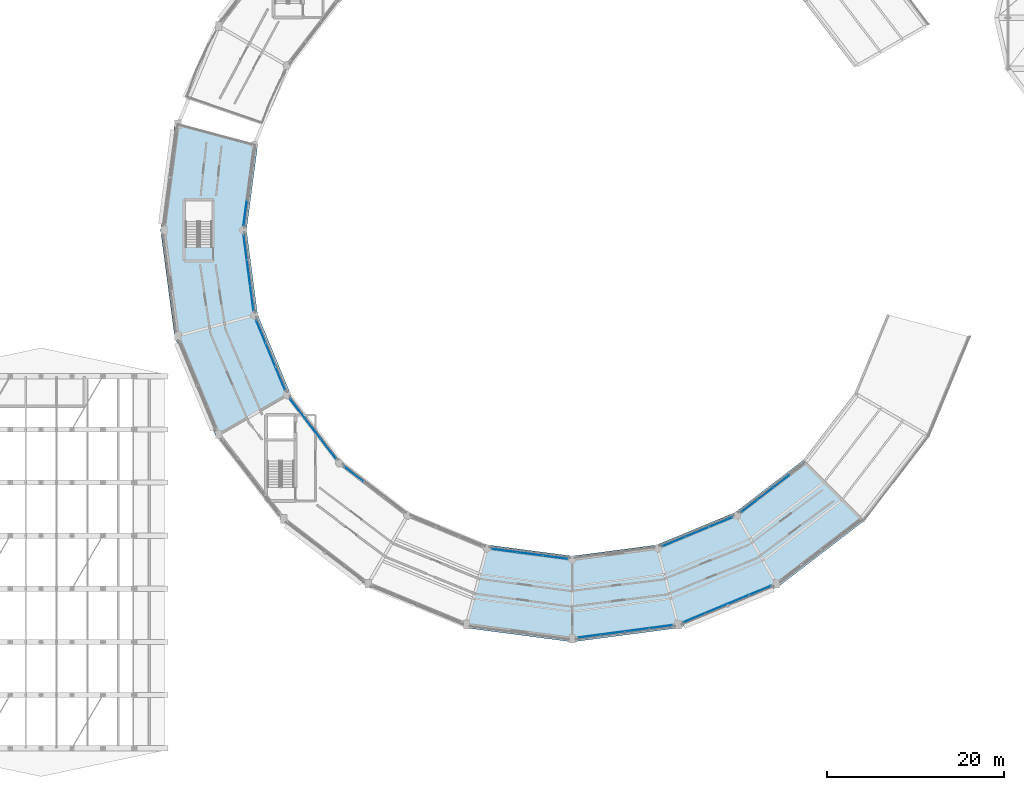
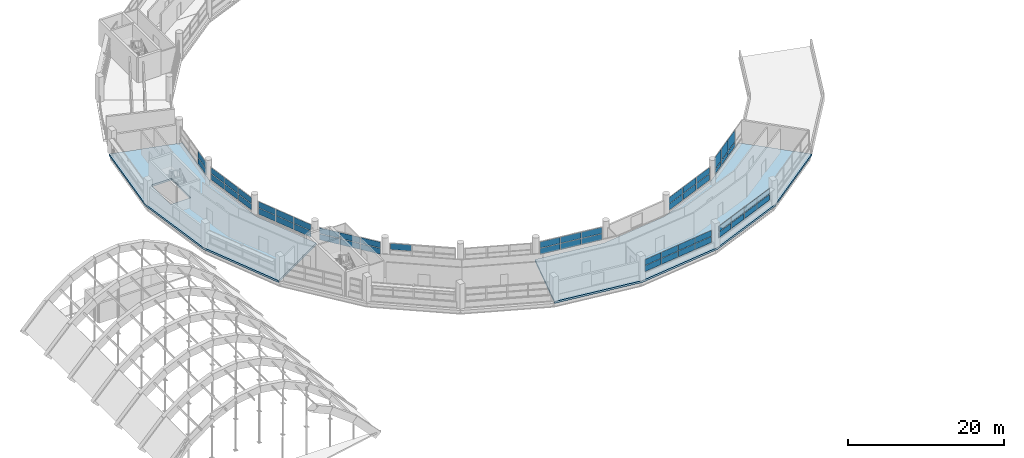
# One storey, part 68 of 88: 55 plates, 2 slabs, 10 elements without a shape of their own.
"""IFC4 building model written with IfcOpenShell, lengths in metres."""

from ifc_helpers import new_model, si_unit, direction, frame, origin, origin_2d, place, context, subcontext, project, spatial, polyline, rectangle, outline, extrude, material, layer, layer_set, type_object, element, aggregate, save


model = new_model("IFC4")

# Units and contexts
model_context = context("Model", 3, precision=1e-05, world=origin(), true_north=direction((0.0, 1.0)))
body_context = subcontext(model_context, "Body", "Model", "MODEL_VIEW")
ifc_project = project(units=[si_unit("LENGTHUNIT", "METRE"), si_unit("AREAUNIT", "SQUARE_METRE"), si_unit("VOLUMEUNIT", "CUBIC_METRE"), si_unit("PLANEANGLEUNIT", "RADIAN"), si_unit("MASSUNIT", "GRAM", prefix="KILO")], contexts=[model_context])

# Site, building, storey
site_placement = place(None, origin())
site = spatial("IfcSite", under=ifc_project, at=site_placement, CompositionType="ELEMENT")
building_placement = place(site_placement, origin())
building = spatial("IfcBuilding", under=site, at=building_placement, Name="Vespera Passage Community Centre", CompositionType="ELEMENT")
storey_placement = place(building_placement, frame((0.0, 0.0, 16.5)))
storey = spatial("IfcBuildingStorey", under=building, at=storey_placement, Name="L04", CompositionType="ELEMENT", Elevation=16.5)

# Curtain wall, plates
ifc_material_1 = material(Name="Anodized aluminium 6063-T6", Category="aluminium")
ifc_layer_1 = layer(ifc_material_1, 0.159912109375)
ifc_layer_set_1 = layer_set([ifc_layer_1], Name="Anodized aluminium 6063-T6")
curtain_wall_type_1 = type_object("IfcCurtainWallType", Name="CW-64E", PredefinedType="NOTDEFINED", material=ifc_layer_set_1)
curtain_wall_1_placement = place(storey_placement, origin())
curtain_wall_1 = element("IfcCurtainWall", 1, at=curtain_wall_1_placement, inside=storey, type_object=curtain_wall_type_1, Name="V4 L04 Inner Court Curtain Wall 12", PredefinedType="NOTDEFINED")
ifc_material_2 = material(Name="Low-E insulated vision glass", Category="glass")
ifc_layer_2 = layer(ifc_material_2, 0.02001953125)
ifc_layer_set_2 = layer_set([ifc_layer_2], Name="Low-E insulated vision glass")
plate_type_1 = type_object("IfcPlateType", Name="PL-CWP-20E", PredefinedType="CURTAIN_PANEL", material=ifc_layer_set_2)
plate_1_placement = place(storey_placement, frame((41.058837890625, 63.53466796875, 0.919921875), z_axis=(0.0, 0.0, 1.0), x_axis=(0.1305221941, -0.991445387728, 0.0)))
plate_1 = element("IfcPlate", 2, at=plate_1_placement, type_object=plate_type_1, Name="CW-64E panel 1.1", PredefinedType="CURTAIN_PANEL", context=body_context, shape_type="SweptSolid", body=[
    extrude(rectangle(XDim=2.779541015625, YDim=0.02001953125, at=origin_2d()), origin(), (0.0, 0.0, 1.0), 0.894775390625),
])
plate_2_placement = place(storey_placement, frame((41.058837890625, 63.53466796875, 1.91455078125), z_axis=(0.0, 0.0, 1.0), x_axis=(0.1305221941, -0.991445387728, 0.0)))
plate_2 = element("IfcPlate", 3, at=plate_2_placement, type_object=plate_type_1, Name="CW-64E panel 1.2", PredefinedType="CURTAIN_PANEL", context=body_context, shape_type="SweptSolid", body=[
    extrude(rectangle(XDim=2.779541015625, YDim=0.02001953125, at=origin_2d()), origin(), (0.0, 0.0, 1.0), 0.894775390625),
])
plate_3_placement = place(storey_placement, frame((41.433837890625, 60.68603515625, 0.919921875), z_axis=(0.0, 0.0, 1.0), x_axis=(0.1305221941, -0.991445387728, 0.0)))
plate_3 = element("IfcPlate", 4, at=plate_3_placement, type_object=plate_type_1, Name="CW-64E panel 2.1", PredefinedType="CURTAIN_PANEL", context=body_context, shape_type="SweptSolid", body=[
    extrude(rectangle(XDim=2.81689453125, YDim=0.02001953125, at=origin_2d()), origin(), (0.0, 0.0, 1.0), 0.894775390625),
])
plate_4_placement = place(storey_placement, frame((41.433837890625, 60.68603515625, 1.91455078125), z_axis=(0.0, 0.0, 1.0), x_axis=(0.1305221941, -0.991445387728, 0.0)))
plate_4 = element("IfcPlate", 5, at=plate_4_placement, type_object=plate_type_1, Name="CW-64E panel 2.2", PredefinedType="CURTAIN_PANEL", context=body_context, shape_type="SweptSolid", body=[
    extrude(rectangle(XDim=2.81689453125, YDim=0.02001953125, at=origin_2d()), origin(), (0.0, 0.0, 1.0), 0.894775390625),
])
plate_5_placement = place(storey_placement, frame((41.808837890625, 57.83740234375, 0.919921875), z_axis=(0.0, 0.0, 1.0), x_axis=(0.1305221941, -0.991445387728, 0.0)))
plate_5 = element("IfcPlate", 6, at=plate_5_placement, type_object=plate_type_1, Name="CW-64E panel 3.1", PredefinedType="CURTAIN_PANEL", context=body_context, shape_type="SweptSolid", body=[
    extrude(rectangle(XDim=2.779541015625, YDim=0.02001953125, at=origin_2d()), origin(), (0.0, 0.0, 1.0), 0.894775390625),
])
plate_6_placement = place(storey_placement, frame((41.808837890625, 57.83740234375, 1.91455078125), z_axis=(0.0, 0.0, 1.0), x_axis=(0.1305221941, -0.991445387728, 0.0)))
plate_6 = element("IfcPlate", 7, at=plate_6_placement, type_object=plate_type_1, Name="CW-64E panel 3.2", PredefinedType="CURTAIN_PANEL", context=body_context, shape_type="SweptSolid", body=[
    extrude(rectangle(XDim=2.779541015625, YDim=0.02001953125, at=origin_2d()), origin(), (0.0, 0.0, 1.0), 0.894775390625),
])
aggregate(curtain_wall_1, [plate_1, plate_2, plate_3, plate_4, plate_5, plate_6])

# Curtain wall, plate
ifc_material_3 = material(Name="Anodized aluminium 6063-T6", Category="aluminium")
ifc_layer_3 = layer(ifc_material_3, 0.159912109375)
ifc_layer_set_3 = layer_set([ifc_layer_3], Name="Anodized aluminium 6063-T6")
curtain_wall_type_2 = type_object("IfcCurtainWallType", Name="CW-54E", PredefinedType="NOTDEFINED", material=ifc_layer_set_3)
curtain_wall_2_placement = place(storey_placement, origin())
curtain_wall_2 = element("IfcCurtainWall", 8, at=curtain_wall_2_placement, inside=storey, type_object=curtain_wall_type_2, Name="V4 L04 Inner Court Curtain Wall 15", PredefinedType="NOTDEFINED")
plate_7_placement = place(storey_placement, frame((53.308349609375, 37.958251953125, 1.894775390625), z_axis=(0.0, 0.0, 1.0), x_axis=(0.793358205999, -0.608755087843, 0.0)))
plate_7 = element("IfcPlate", 9, at=plate_7_placement, type_object=plate_type_1, Name="CW-54E panel 1.2", PredefinedType="CURTAIN_PANEL", context=body_context, shape_type="SweptSolid", body=[
    extrude(rectangle(XDim=2.72900390625, YDim=0.02001953125, at=origin_2d()), origin(), (0.0, 0.0, 1.0), 0.95458984375),
])
aggregate(curtain_wall_2, [plate_7])

# Curtain wall, plates
ifc_material_4 = material(Name="Anodized aluminium 6063-T6", Category="aluminium")
ifc_layer_4 = layer(ifc_material_4, 0.159912109375)
ifc_layer_set_4 = layer_set([ifc_layer_4], Name="Anodized aluminium 6063-T6")
curtain_wall_type_3 = type_object("IfcCurtainWallType", Name="CW-59E", PredefinedType="NOTDEFINED", material=ifc_layer_set_4)
curtain_wall_3_placement = place(storey_placement, origin())
curtain_wall_3 = element("IfcCurtainWall", 10, at=curtain_wall_3_placement, inside=storey, type_object=curtain_wall_type_3, Name="V4 L04 Outer Ribbon Curtain Wall 18", PredefinedType="NOTDEFINED")
plate_8_placement = place(storey_placement, frame((87.98291015625, 20.71435546875, 0.8798828125), z_axis=(0.0, 0.0, 1.0), x_axis=(-0.991444252276, -0.130530818696, 0.0)))
plate_8 = element("IfcPlate", 11, at=plate_8_placement, type_object=plate_type_1, Name="CW-59E panel 1.1", PredefinedType="CURTAIN_PANEL", context=body_context, shape_type="SweptSolid", body=[
    extrude(rectangle(XDim=2.614501953125, YDim=0.02001953125, at=origin_2d()), origin(), (0.0, 0.0, 1.0), 0.912841796875),
])
plate_9_placement = place(storey_placement, frame((87.98291015625, 20.71435546875, 1.8525390625), z_axis=(0.0, 0.0, 1.0), x_axis=(-0.991444252276, -0.130530818696, 0.0)))
plate_9 = element("IfcPlate", 12, at=plate_9_placement, type_object=plate_type_1, Name="CW-59E panel 1.2", PredefinedType="CURTAIN_PANEL", context=body_context, shape_type="SweptSolid", body=[
    extrude(rectangle(XDim=2.614501953125, YDim=0.02001953125, at=origin_2d()), origin(), (0.0, 0.0, 1.0), 0.912841796875),
])
plate_10_placement = place(storey_placement, frame((85.310302734375, 20.3623046875, 0.8798828125), z_axis=(0.0, 0.0, 1.0), x_axis=(-0.991444252276, -0.130530818696, 0.0)))
plate_10 = element("IfcPlate", 13, at=plate_10_placement, type_object=plate_type_1, Name="CW-59E panel 2.1", PredefinedType="CURTAIN_PANEL", context=body_context, shape_type="SweptSolid", body=[
    extrude(rectangle(XDim=2.64697265625, YDim=0.02001953125, at=origin_2d()), origin(), (0.0, 0.0, 1.0), 0.912841796875),
])
plate_11_placement = place(storey_placement, frame((85.310302734375, 20.3623046875, 1.8525390625), z_axis=(0.0, 0.0, 1.0), x_axis=(-0.991444252276, -0.130530818696, 0.0)))
plate_11 = element("IfcPlate", 14, at=plate_11_placement, type_object=plate_type_1, Name="CW-59E panel 2.2", PredefinedType="CURTAIN_PANEL", context=body_context, shape_type="SweptSolid", body=[
    extrude(rectangle(XDim=2.64697265625, YDim=0.02001953125, at=origin_2d()), origin(), (0.0, 0.0, 1.0), 0.912841796875),
])
plate_12_placement = place(storey_placement, frame((82.621337890625, 20.00830078125, 0.8798828125), z_axis=(0.0, 0.0, 1.0), x_axis=(-0.991444252276, -0.130530818696, 0.0)))
plate_12 = element("IfcPlate", 15, at=plate_12_placement, type_object=plate_type_1, Name="CW-59E panel 3.1", PredefinedType="CURTAIN_PANEL", context=body_context, shape_type="SweptSolid", body=[
    extrude(rectangle(XDim=2.64697265625, YDim=0.02001953125, at=origin_2d()), origin(), (0.0, 0.0, 1.0), 0.912841796875),
])
plate_13_placement = place(storey_placement, frame((82.621337890625, 20.00830078125, 1.8525390625), z_axis=(0.0, 0.0, 1.0), x_axis=(-0.991444252276, -0.130530818696, 0.0)))
plate_13 = element("IfcPlate", 16, at=plate_13_placement, type_object=plate_type_1, Name="CW-59E panel 3.2", PredefinedType="CURTAIN_PANEL", context=body_context, shape_type="SweptSolid", body=[
    extrude(rectangle(XDim=2.64697265625, YDim=0.02001953125, at=origin_2d()), origin(), (0.0, 0.0, 1.0), 0.912841796875),
])
plate_14_placement = place(storey_placement, frame((79.94873046875, 19.656494140625, 0.8798828125), z_axis=(0.0, 0.0, 1.0), x_axis=(-0.991444252276, -0.130530818696, 0.0)))
plate_14 = element("IfcPlate", 17, at=plate_14_placement, type_object=plate_type_1, Name="CW-59E panel 4.1", PredefinedType="CURTAIN_PANEL", context=body_context, shape_type="SweptSolid", body=[
    extrude(rectangle(XDim=2.614501953125, YDim=0.02001953125, at=origin_2d()), origin(), (0.0, 0.0, 1.0), 0.912841796875),
])
plate_15_placement = place(storey_placement, frame((79.94873046875, 19.656494140625, 1.8525390625), z_axis=(0.0, 0.0, 1.0), x_axis=(-0.991444252276, -0.130530818696, 0.0)))
plate_15 = element("IfcPlate", 18, at=plate_15_placement, type_object=plate_type_1, Name="CW-59E panel 4.2", PredefinedType="CURTAIN_PANEL", context=body_context, shape_type="SweptSolid", body=[
    extrude(rectangle(XDim=2.614501953125, YDim=0.02001953125, at=origin_2d()), origin(), (0.0, 0.0, 1.0), 0.912841796875),
])
aggregate(curtain_wall_3, [plate_8, plate_9, plate_10, plate_11, plate_12, plate_13, plate_14, plate_15])

ifc_material_5 = material(Name="Anodized aluminium 6063-T6", Category="aluminium")
ifc_layer_5 = layer(ifc_material_5, 0.159912109375)
ifc_layer_set_5 = layer_set([ifc_layer_5], Name="Anodized aluminium 6063-T6")
curtain_wall_type_4 = type_object("IfcCurtainWallType", Name="CW-56E", PredefinedType="NOTDEFINED", material=ifc_layer_set_5)
curtain_wall_4_placement = place(storey_placement, origin())
curtain_wall_4 = element("IfcCurtainWall", 19, at=curtain_wall_4_placement, inside=storey, type_object=curtain_wall_type_4, Name="V4 L04 Inner Court Curtain Wall 13", PredefinedType="NOTDEFINED")
ifc_material_6 = material(Name="Low-E insulated vision glass", Category="glass")
ifc_layer_6 = layer(ifc_material_6, 0.028076171875)
ifc_layer_set_6 = layer_set([ifc_layer_6], Name="Low-E insulated vision glass")
plate_type_2 = type_object("IfcPlateType", Name="PL-CWP-28E", PredefinedType="CURTAIN_PANEL", material=ifc_layer_set_6)
plate_16_placement = place(storey_placement, frame((42.831787109375, 54.02685546875, 0.880126953125), z_axis=(0.0, 0.0, 1.0), x_axis=(0.382690463482, -0.923876620096, 0.0)))
plate_16 = element("IfcPlate", 20, at=plate_16_placement, type_object=plate_type_2, Name="CW-56E panel 1.1", PredefinedType="CURTAIN_PANEL", context=body_context, shape_type="SweptSolid", body=[
    extrude(rectangle(XDim=2.7646484375, YDim=0.028076171875, at=origin_2d()), origin(), (0.0, 0.0, 1.0), 0.95458984375),
])
plate_17_placement = place(storey_placement, frame((42.831787109375, 54.02685546875, 1.894775390625), z_axis=(0.0, 0.0, 1.0), x_axis=(0.382690463482, -0.923876620096, 0.0)))
plate_17 = element("IfcPlate", 21, at=plate_17_placement, type_object=plate_type_2, Name="CW-56E panel 1.2", PredefinedType="CURTAIN_PANEL", context=body_context, shape_type="SweptSolid", body=[
    extrude(rectangle(XDim=2.7646484375, YDim=0.028076171875, at=origin_2d()), origin(), (0.0, 0.0, 1.0), 0.95458984375),
])
plate_18_placement = place(storey_placement, frame((43.92578125, 51.385986328125, 0.880126953125), z_axis=(0.0, 0.0, 1.0), x_axis=(0.382690463482, -0.923876620096, 0.0)))
plate_18 = element("IfcPlate", 22, at=plate_18_placement, type_object=plate_type_2, Name="CW-56E panel 2.1", PredefinedType="CURTAIN_PANEL", context=body_context, shape_type="SweptSolid", body=[
    extrude(rectangle(XDim=2.80224609375, YDim=0.028076171875, at=origin_2d()), origin(), (0.0, 0.0, 1.0), 0.95458984375),
])
plate_19_placement = place(storey_placement, frame((43.92578125, 51.385986328125, 1.894775390625), z_axis=(0.0, 0.0, 1.0), x_axis=(0.382690463482, -0.923876620096, 0.0)))
plate_19 = element("IfcPlate", 23, at=plate_19_placement, type_object=plate_type_2, Name="CW-56E panel 2.2", PredefinedType="CURTAIN_PANEL", context=body_context, shape_type="SweptSolid", body=[
    extrude(rectangle(XDim=2.80224609375, YDim=0.028076171875, at=origin_2d()), origin(), (0.0, 0.0, 1.0), 0.95458984375),
])
plate_20_placement = place(storey_placement, frame((45.019775390625, 48.7451171875, 0.880126953125), z_axis=(0.0, 0.0, 1.0), x_axis=(0.382690463482, -0.923876620096, 0.0)))
plate_20 = element("IfcPlate", 24, at=plate_20_placement, type_object=plate_type_2, Name="CW-56E panel 3.1", PredefinedType="CURTAIN_PANEL", context=body_context, shape_type="SweptSolid", body=[
    extrude(rectangle(XDim=2.7646484375, YDim=0.028076171875, at=origin_2d()), origin(), (0.0, 0.0, 1.0), 0.95458984375),
])
plate_21_placement = place(storey_placement, frame((45.019775390625, 48.7451171875, 1.894775390625), z_axis=(0.0, 0.0, 1.0), x_axis=(0.382690463482, -0.923876620096, 0.0)))
plate_21 = element("IfcPlate", 25, at=plate_21_placement, type_object=plate_type_2, Name="CW-56E panel 3.2", PredefinedType="CURTAIN_PANEL", context=body_context, shape_type="SweptSolid", body=[
    extrude(rectangle(XDim=2.7646484375, YDim=0.028076171875, at=origin_2d()), origin(), (0.0, 0.0, 1.0), 0.95458984375),
])
aggregate(curtain_wall_4, [plate_16, plate_17, plate_18, plate_19, plate_20, plate_21])

ifc_material_7 = material(Name="Anodized aluminium 6063-T6", Category="aluminium")
ifc_layer_7 = layer(ifc_material_7, 0.159912109375)
ifc_layer_set_7 = layer_set([ifc_layer_7], Name="Anodized aluminium 6063-T6")
curtain_wall_type_5 = type_object("IfcCurtainWallType", Name="CW-55E", PredefinedType="NOTDEFINED", material=ifc_layer_set_7)
curtain_wall_5_placement = place(storey_placement, origin())
curtain_wall_5 = element("IfcCurtainWall", 26, at=curtain_wall_5_placement, inside=storey, type_object=curtain_wall_type_5, Name="V4 L04 Outer Ribbon Curtain Wall 19", PredefinedType="NOTDEFINED")
plate_22_placement = place(storey_placement, frame((99.212646484375, 24.815185546875, 0.919921875), z_axis=(0.0, 0.0, 1.0), x_axis=(-0.923879738007, -0.382682936255, 0.0)))
plate_22 = element("IfcPlate", 27, at=plate_22_placement, type_object=plate_type_2, Name="CW-55E panel 1.1", PredefinedType="CURTAIN_PANEL", context=body_context, shape_type="SweptSolid", body=[
    extrude(rectangle(XDim=2.585693359375, YDim=0.028076171875, at=origin_2d()), origin(), (0.0, 0.0, 1.0), 0.852783203125),
])
plate_23_placement = place(storey_placement, frame((99.212646484375, 24.815185546875, 1.873046875), z_axis=(0.0, 0.0, 1.0), x_axis=(-0.923879738007, -0.382682936255, 0.0)))
plate_23 = element("IfcPlate", 28, at=plate_23_placement, type_object=plate_type_2, Name="CW-55E panel 1.2", PredefinedType="CURTAIN_PANEL", context=body_context, shape_type="SweptSolid", body=[
    extrude(rectangle(XDim=2.585693359375, YDim=0.028076171875, at=origin_2d()), origin(), (0.0, 0.0, 1.0), 0.852783203125),
])
plate_24_placement = place(storey_placement, frame((96.7373046875, 23.789794921875, 0.919921875), z_axis=(0.0, 0.0, 1.0), x_axis=(-0.923879738007, -0.382682936255, 0.0)))
plate_24 = element("IfcPlate", 29, at=plate_24_placement, type_object=plate_type_2, Name="CW-55E panel 2.1", PredefinedType="CURTAIN_PANEL", context=body_context, shape_type="SweptSolid", body=[
    extrude(rectangle(XDim=2.623291015625, YDim=0.028076171875, at=origin_2d()), origin(), (0.0, 0.0, 1.0), 0.852783203125),
])
plate_25_placement = place(storey_placement, frame((96.7373046875, 23.789794921875, 1.873046875), z_axis=(0.0, 0.0, 1.0), x_axis=(-0.923879738007, -0.382682936255, 0.0)))
plate_25 = element("IfcPlate", 30, at=plate_25_placement, type_object=plate_type_2, Name="CW-55E panel 2.2", PredefinedType="CURTAIN_PANEL", context=body_context, shape_type="SweptSolid", body=[
    extrude(rectangle(XDim=2.623291015625, YDim=0.028076171875, at=origin_2d()), origin(), (0.0, 0.0, 1.0), 0.852783203125),
])
plate_26_placement = place(storey_placement, frame((94.244384765625, 22.75732421875, 0.919921875), z_axis=(0.0, 0.0, 1.0), x_axis=(-0.923879738007, -0.382682936255, 0.0)))
plate_26 = element("IfcPlate", 31, at=plate_26_placement, type_object=plate_type_2, Name="CW-55E panel 3.1", PredefinedType="CURTAIN_PANEL", context=body_context, shape_type="SweptSolid", body=[
    extrude(rectangle(XDim=2.623291015625, YDim=0.028076171875, at=origin_2d()), origin(), (0.0, 0.0, 1.0), 0.852783203125),
])
plate_27_placement = place(storey_placement, frame((94.244384765625, 22.75732421875, 1.873046875), z_axis=(0.0, 0.0, 1.0), x_axis=(-0.923879738007, -0.382682936255, 0.0)))
plate_27 = element("IfcPlate", 32, at=plate_27_placement, type_object=plate_type_2, Name="CW-55E panel 3.2", PredefinedType="CURTAIN_PANEL", context=body_context, shape_type="SweptSolid", body=[
    extrude(rectangle(XDim=2.623291015625, YDim=0.028076171875, at=origin_2d()), origin(), (0.0, 0.0, 1.0), 0.852783203125),
])
plate_28_placement = place(storey_placement, frame((91.76904296875, 21.73193359375, 0.919921875), z_axis=(0.0, 0.0, 1.0), x_axis=(-0.923879738007, -0.382682936255, 0.0)))
plate_28 = element("IfcPlate", 33, at=plate_28_placement, type_object=plate_type_2, Name="CW-55E panel 4.1", PredefinedType="CURTAIN_PANEL", context=body_context, shape_type="SweptSolid", body=[
    extrude(rectangle(XDim=2.585693359375, YDim=0.028076171875, at=origin_2d()), origin(), (0.0, 0.0, 1.0), 0.852783203125),
])
plate_29_placement = place(storey_placement, frame((91.76904296875, 21.73193359375, 1.873046875), z_axis=(0.0, 0.0, 1.0), x_axis=(-0.923879738007, -0.382682936255, 0.0)))
plate_29 = element("IfcPlate", 34, at=plate_29_placement, type_object=plate_type_2, Name="CW-55E panel 4.2", PredefinedType="CURTAIN_PANEL", context=body_context, shape_type="SweptSolid", body=[
    extrude(rectangle(XDim=2.585693359375, YDim=0.028076171875, at=origin_2d()), origin(), (0.0, 0.0, 1.0), 0.852783203125),
])
aggregate(curtain_wall_5, [plate_22, plate_23, plate_24, plate_25, plate_26, plate_27, plate_28, plate_29])

curtain_wall_6_placement = place(storey_placement, origin())
curtain_wall_6 = element("IfcCurtainWall", 35, at=curtain_wall_6_placement, inside=storey, type_object=curtain_wall_type_4, Name="V4 L04 Inner Court Curtain Wall 19", PredefinedType="NOTDEFINED")
plate_30_placement = place(storey_placement, frame((89.47314453125, 30.331787109375, 0.880126953125), z_axis=(0.0, 0.0, 1.0), x_axis=(0.923876620096, 0.382690463482, 0.0)))
plate_30 = element("IfcPlate", 36, at=plate_30_placement, type_object=plate_type_2, Name="CW-56E panel 1.1", PredefinedType="CURTAIN_PANEL", context=body_context, shape_type="SweptSolid", body=[
    extrude(rectangle(XDim=2.7646484375, YDim=0.028076171875, at=origin_2d()), origin(), (0.0, 0.0, 1.0), 0.95458984375),
])
plate_31_placement = place(storey_placement, frame((89.47314453125, 30.331787109375, 1.894775390625), z_axis=(0.0, 0.0, 1.0), x_axis=(0.923876620096, 0.382690463482, 0.0)))
plate_31 = element("IfcPlate", 37, at=plate_31_placement, type_object=plate_type_2, Name="CW-56E panel 1.2", PredefinedType="CURTAIN_PANEL", context=body_context, shape_type="SweptSolid", body=[
    extrude(rectangle(XDim=2.7646484375, YDim=0.028076171875, at=origin_2d()), origin(), (0.0, 0.0, 1.0), 0.95458984375),
])
plate_32_placement = place(storey_placement, frame((92.114013671875, 31.42578125, 0.880126953125), z_axis=(0.0, 0.0, 1.0), x_axis=(0.923876620096, 0.382690463482, 0.0)))
plate_32 = element("IfcPlate", 38, at=plate_32_placement, type_object=plate_type_2, Name="CW-56E panel 2.1", PredefinedType="CURTAIN_PANEL", context=body_context, shape_type="SweptSolid", body=[
    extrude(rectangle(XDim=2.80224609375, YDim=0.028076171875, at=origin_2d()), origin(), (0.0, 0.0, 1.0), 0.95458984375),
])
plate_33_placement = place(storey_placement, frame((92.114013671875, 31.42578125, 1.894775390625), z_axis=(0.0, 0.0, 1.0), x_axis=(0.923876620096, 0.382690463482, 0.0)))
plate_33 = element("IfcPlate", 39, at=plate_33_placement, type_object=plate_type_2, Name="CW-56E panel 2.2", PredefinedType="CURTAIN_PANEL", context=body_context, shape_type="SweptSolid", body=[
    extrude(rectangle(XDim=2.80224609375, YDim=0.028076171875, at=origin_2d()), origin(), (0.0, 0.0, 1.0), 0.95458984375),
])
plate_34_placement = place(storey_placement, frame((94.7548828125, 32.519775390625, 0.880126953125), z_axis=(0.0, 0.0, 1.0), x_axis=(0.923876620096, 0.382690463482, 0.0)))
plate_34 = element("IfcPlate", 40, at=plate_34_placement, type_object=plate_type_2, Name="CW-56E panel 3.1", PredefinedType="CURTAIN_PANEL", context=body_context, shape_type="SweptSolid", body=[
    extrude(rectangle(XDim=2.7646484375, YDim=0.028076171875, at=origin_2d()), origin(), (0.0, 0.0, 1.0), 0.95458984375),
])
plate_35_placement = place(storey_placement, frame((94.7548828125, 32.519775390625, 1.894775390625), z_axis=(0.0, 0.0, 1.0), x_axis=(0.923876620096, 0.382690463482, 0.0)))
plate_35 = element("IfcPlate", 41, at=plate_35_placement, type_object=plate_type_2, Name="CW-56E panel 3.2", PredefinedType="CURTAIN_PANEL", context=body_context, shape_type="SweptSolid", body=[
    extrude(rectangle(XDim=2.7646484375, YDim=0.028076171875, at=origin_2d()), origin(), (0.0, 0.0, 1.0), 0.95458984375),
])
aggregate(curtain_wall_6, [plate_30, plate_31, plate_32, plate_33, plate_34, plate_35])

ifc_material_8 = material(Name="Anodized aluminium 6063-T6", Category="aluminium")
ifc_layer_8 = layer(ifc_material_8, 0.159912109375)
ifc_layer_set_8 = layer_set([ifc_layer_8], Name="Anodized aluminium 6063-T6")
curtain_wall_type_6 = type_object("IfcCurtainWallType", Name="CW-58E", PredefinedType="NOTDEFINED", material=ifc_layer_set_8)
curtain_wall_7_placement = place(storey_placement, origin())
curtain_wall_7 = element("IfcCurtainWall", 42, at=curtain_wall_7_placement, inside=storey, type_object=curtain_wall_type_6, Name="V4 L04 Inner Court Curtain Wall 11", PredefinedType="NOTDEFINED")
ifc_material_9 = material(Name="Acoustic triple-glazed vision glass", Category="glass")
ifc_layer_9 = layer(ifc_material_9, 0.035888671875)
ifc_layer_set_9 = layer_set([ifc_layer_9], Name="Acoustic triple-glazed vision glass")
plate_type_3 = type_object("IfcPlateType", Name="PL-CWP-36E", PredefinedType="CURTAIN_PANEL", material=ifc_layer_set_9)
plate_36_placement = place(storey_placement, frame((41.058349609375, 67.462890625, 0.880126953125), z_axis=(0.0, 0.0, 1.0), x_axis=(-0.1305221941, -0.991445387728, 0.0)))
plate_36 = element("IfcPlate", 43, at=plate_36_placement, type_object=plate_type_3, Name="CW-58E panel 3.1", PredefinedType="CURTAIN_PANEL", context=body_context, shape_type="SweptSolid", body=[
    extrude(rectangle(XDim=2.79443359375, YDim=0.035888671875, at=origin_2d()), origin(), (0.0, 0.0, 1.0), 0.95458984375),
])
plate_37_placement = place(storey_placement, frame((41.058349609375, 67.462890625, 1.894775390625), z_axis=(0.0, 0.0, 1.0), x_axis=(-0.1305221941, -0.991445387728, 0.0)))
plate_37 = element("IfcPlate", 44, at=plate_37_placement, type_object=plate_type_3, Name="CW-58E panel 3.2", PredefinedType="CURTAIN_PANEL", context=body_context, shape_type="SweptSolid", body=[
    extrude(rectangle(XDim=2.79443359375, YDim=0.035888671875, at=origin_2d()), origin(), (0.0, 0.0, 1.0), 0.95458984375),
])
aggregate(curtain_wall_7, [plate_36, plate_37])

ifc_material_10 = material(Name="Anodized aluminium 6063-T6", Category="aluminium")
ifc_layer_10 = layer(ifc_material_10, 0.159912109375)
ifc_layer_set_10 = layer_set([ifc_layer_10], Name="Anodized aluminium 6063-T6")
curtain_wall_type_7 = type_object("IfcCurtainWallType", Name="CW-61E", PredefinedType="NOTDEFINED", material=ifc_layer_set_10)
curtain_wall_8_placement = place(storey_placement, origin())
curtain_wall_8 = element("IfcCurtainWall", 45, at=curtain_wall_8_placement, inside=storey, type_object=curtain_wall_type_7, Name="V4 L04 Inner Court Curtain Wall 14", PredefinedType="NOTDEFINED")
plate_38_placement = place(storey_placement, frame((47.019775390625, 45.289306640625, 0.919921875), z_axis=(0.0, 0.0, 1.0), x_axis=(0.608755087843, -0.793358205999, 0.0)))
plate_38 = element("IfcPlate", 46, at=plate_38_placement, type_object=plate_type_3, Name="CW-61E panel 1.1", PredefinedType="CURTAIN_PANEL", context=body_context, shape_type="SweptSolid", body=[
    extrude(rectangle(XDim=2.744140625, YDim=0.035888671875, at=origin_2d()), origin(), (0.0, 0.0, 1.0), 0.894775390625),
])
plate_39_placement = place(storey_placement, frame((47.019775390625, 45.289306640625, 1.91455078125), z_axis=(0.0, 0.0, 1.0), x_axis=(0.608755087843, -0.793358205999, 0.0)))
plate_39 = element("IfcPlate", 47, at=plate_39_placement, type_object=plate_type_3, Name="CW-61E panel 1.2", PredefinedType="CURTAIN_PANEL", context=body_context, shape_type="SweptSolid", body=[
    extrude(rectangle(XDim=2.744140625, YDim=0.035888671875, at=origin_2d()), origin(), (0.0, 0.0, 1.0), 0.894775390625),
])
plate_40_placement = place(storey_placement, frame((48.73974609375, 43.0478515625, 0.919921875), z_axis=(0.0, 0.0, 1.0), x_axis=(0.608755087843, -0.793358205999, 0.0)))
plate_40 = element("IfcPlate", 48, at=plate_40_placement, type_object=plate_type_3, Name="CW-61E panel 2.1", PredefinedType="CURTAIN_PANEL", context=body_context, shape_type="SweptSolid", body=[
    extrude(rectangle(XDim=2.776611328125, YDim=0.035888671875, at=origin_2d()), origin(), (0.0, 0.0, 1.0), 0.894775390625),
])
plate_41_placement = place(storey_placement, frame((48.73974609375, 43.0478515625, 1.91455078125), z_axis=(0.0, 0.0, 1.0), x_axis=(0.608755087843, -0.793358205999, 0.0)))
plate_41 = element("IfcPlate", 49, at=plate_41_placement, type_object=plate_type_3, Name="CW-61E panel 2.2", PredefinedType="CURTAIN_PANEL", context=body_context, shape_type="SweptSolid", body=[
    extrude(rectangle(XDim=2.776611328125, YDim=0.035888671875, at=origin_2d()), origin(), (0.0, 0.0, 1.0), 0.894775390625),
])
plate_42_placement = place(storey_placement, frame((50.459716796875, 40.806396484375, 0.919921875), z_axis=(0.0, 0.0, 1.0), x_axis=(0.608755087843, -0.793358205999, 0.0)))
plate_42 = element("IfcPlate", 50, at=plate_42_placement, type_object=plate_type_3, Name="CW-61E panel 3.1", PredefinedType="CURTAIN_PANEL", context=body_context, shape_type="SweptSolid", body=[
    extrude(rectangle(XDim=2.744140625, YDim=0.035888671875, at=origin_2d()), origin(), (0.0, 0.0, 1.0), 0.894775390625),
])
plate_43_placement = place(storey_placement, frame((50.459716796875, 40.806396484375, 1.91455078125), z_axis=(0.0, 0.0, 1.0), x_axis=(0.608755087843, -0.793358205999, 0.0)))
plate_43 = element("IfcPlate", 51, at=plate_43_placement, type_object=plate_type_3, Name="CW-61E panel 3.2", PredefinedType="CURTAIN_PANEL", context=body_context, shape_type="SweptSolid", body=[
    extrude(rectangle(XDim=2.744140625, YDim=0.035888671875, at=origin_2d()), origin(), (0.0, 0.0, 1.0), 0.894775390625),
])
aggregate(curtain_wall_8, [plate_38, plate_39, plate_40, plate_41, plate_42, plate_43])

curtain_wall_9_placement = place(storey_placement, origin())
curtain_wall_9 = element("IfcCurtainWall", 52, at=curtain_wall_9_placement, inside=storey, type_object=curtain_wall_type_6, Name="V4 L04 Inner Court Curtain Wall 17", PredefinedType="NOTDEFINED")
plate_44_placement = place(storey_placement, frame((70.334716796875, 29.30908203125, 0.880126953125), z_axis=(0.0, 0.0, 1.0), x_axis=(0.991445387728, -0.1305221941, 0.0)))
plate_44 = element("IfcPlate", 53, at=plate_44_placement, type_object=plate_type_3, Name="CW-58E panel 1.1", PredefinedType="CURTAIN_PANEL", context=body_context, shape_type="SweptSolid", body=[
    extrude(rectangle(XDim=2.79443359375, YDim=0.035888671875, at=origin_2d()), origin(), (0.0, 0.0, 1.0), 0.95458984375),
])
plate_45_placement = place(storey_placement, frame((70.334716796875, 29.30908203125, 1.894775390625), z_axis=(0.0, 0.0, 1.0), x_axis=(0.991445387728, -0.1305221941, 0.0)))
plate_45 = element("IfcPlate", 54, at=plate_45_placement, type_object=plate_type_3, Name="CW-58E panel 1.2", PredefinedType="CURTAIN_PANEL", context=body_context, shape_type="SweptSolid", body=[
    extrude(rectangle(XDim=2.79443359375, YDim=0.035888671875, at=origin_2d()), origin(), (0.0, 0.0, 1.0), 0.95458984375),
])
plate_46_placement = place(storey_placement, frame((73.18603515625, 28.933837890625, 0.880126953125), z_axis=(0.0, 0.0, 1.0), x_axis=(0.991445387728, -0.1305221941, 0.0)))
plate_46 = element("IfcPlate", 55, at=plate_46_placement, type_object=plate_type_3, Name="CW-58E panel 2.1", PredefinedType="CURTAIN_PANEL", context=body_context, shape_type="SweptSolid", body=[
    extrude(rectangle(XDim=2.826904296875, YDim=0.035888671875, at=origin_2d()), origin(), (0.0, 0.0, 1.0), 0.95458984375),
])
plate_47_placement = place(storey_placement, frame((73.18603515625, 28.933837890625, 1.894775390625), z_axis=(0.0, 0.0, 1.0), x_axis=(0.991445387728, -0.1305221941, 0.0)))
plate_47 = element("IfcPlate", 56, at=plate_47_placement, type_object=plate_type_3, Name="CW-58E panel 2.2", PredefinedType="CURTAIN_PANEL", context=body_context, shape_type="SweptSolid", body=[
    extrude(rectangle(XDim=2.826904296875, YDim=0.035888671875, at=origin_2d()), origin(), (0.0, 0.0, 1.0), 0.95458984375),
])
plate_48_placement = place(storey_placement, frame((76.037109375, 28.558349609375, 0.880126953125), z_axis=(0.0, 0.0, 1.0), x_axis=(0.991445387728, -0.1305221941, 0.0)))
plate_48 = element("IfcPlate", 57, at=plate_48_placement, type_object=plate_type_3, Name="CW-58E panel 3.1", PredefinedType="CURTAIN_PANEL", context=body_context, shape_type="SweptSolid", body=[
    extrude(rectangle(XDim=2.79443359375, YDim=0.035888671875, at=origin_2d()), origin(), (0.0, 0.0, 1.0), 0.95458984375),
])
plate_49_placement = place(storey_placement, frame((76.037109375, 28.558349609375, 1.894775390625), z_axis=(0.0, 0.0, 1.0), x_axis=(0.991445387728, -0.1305221941, 0.0)))
plate_49 = element("IfcPlate", 58, at=plate_49_placement, type_object=plate_type_3, Name="CW-58E panel 3.2", PredefinedType="CURTAIN_PANEL", context=body_context, shape_type="SweptSolid", body=[
    extrude(rectangle(XDim=2.79443359375, YDim=0.035888671875, at=origin_2d()), origin(), (0.0, 0.0, 1.0), 0.95458984375),
])
aggregate(curtain_wall_9, [plate_44, plate_45, plate_46, plate_47, plate_48, plate_49])

ifc_material_11 = material(Name="Anodized aluminium 6063-T6", Category="aluminium")
ifc_layer_11 = layer(ifc_material_11, 0.159912109375)
ifc_layer_set_11 = layer_set([ifc_layer_11], Name="Anodized aluminium 6063-T6")
curtain_wall_type_8 = type_object("IfcCurtainWallType", Name="CW-68E", PredefinedType="NOTDEFINED", material=ifc_layer_set_11)
curtain_wall_10_placement = place(storey_placement, origin())
curtain_wall_10 = element("IfcCurtainWall", 59, at=curtain_wall_10_placement, inside=storey, type_object=curtain_wall_type_8, Name="V4 L04 Inner Court Curtain Wall 20", PredefinedType="NOTDEFINED")
plate_50_placement = place(storey_placement, frame((97.98779296875, 34.3486328125, 0.919921875), z_axis=(0.0, 0.0, 1.0), x_axis=(0.793358105594, 0.608755218694, 0.0)))
plate_50 = element("IfcPlate", 60, at=plate_50_placement, type_object=plate_type_3, Name="CW-68E panel 1.1", PredefinedType="CURTAIN_PANEL", context=body_context, shape_type="SweptSolid", body=[
    extrude(rectangle(XDim=2.181884765625, YDim=0.035888671875, at=origin_2d()), origin(), (0.0, 0.0, 1.0), 0.699951171875),
])
plate_51_placement = place(storey_placement, frame((97.98779296875, 34.3486328125, 1.719970703125), z_axis=(0.0, 0.0, 1.0), x_axis=(0.793358105594, 0.608755218694, 0.0)))
plate_51 = element("IfcPlate", 61, at=plate_51_placement, type_object=plate_type_3, Name="CW-68E panel 1.2", PredefinedType="CURTAIN_PANEL", context=body_context, shape_type="SweptSolid", body=[
    extrude(rectangle(XDim=2.181884765625, YDim=0.035888671875, at=origin_2d()), origin(), (0.0, 0.0, 1.0), 1.7900390625),
])
plate_52_placement = place(storey_placement, frame((99.783203125, 35.7265625, 0.919921875), z_axis=(0.0, 0.0, 1.0), x_axis=(0.793358105594, 0.608755218694, 0.0)))
plate_52 = element("IfcPlate", 62, at=plate_52_placement, type_object=plate_type_3, Name="CW-68E panel 2.1", PredefinedType="CURTAIN_PANEL", context=body_context, shape_type="SweptSolid", body=[
    extrude(rectangle(XDim=2.214599609375, YDim=0.035888671875, at=origin_2d()), origin(), (0.0, 0.0, 1.0), 0.699951171875),
])
plate_53_placement = place(storey_placement, frame((99.783203125, 35.7265625, 1.719970703125), z_axis=(0.0, 0.0, 1.0), x_axis=(0.793358105594, 0.608755218694, 0.0)))
plate_53 = element("IfcPlate", 63, at=plate_53_placement, type_object=plate_type_3, Name="CW-68E panel 2.2", PredefinedType="CURTAIN_PANEL", context=body_context, shape_type="SweptSolid", body=[
    extrude(rectangle(XDim=2.214599609375, YDim=0.035888671875, at=origin_2d()), origin(), (0.0, 0.0, 1.0), 1.7900390625),
])
plate_54_placement = place(storey_placement, frame((101.591796875, 37.114013671875, 0.919921875), z_axis=(0.0, 0.0, 1.0), x_axis=(0.793358105594, 0.608755218694, 0.0)))
plate_54 = element("IfcPlate", 64, at=plate_54_placement, type_object=plate_type_3, Name="CW-68E panel 3.1", PredefinedType="CURTAIN_PANEL", context=body_context, shape_type="SweptSolid", body=[
    extrude(rectangle(XDim=2.214599609375, YDim=0.035888671875, at=origin_2d()), origin(), (0.0, 0.0, 1.0), 0.699951171875),
])
plate_55_placement = place(storey_placement, frame((101.591796875, 37.114013671875, 1.719970703125), z_axis=(0.0, 0.0, 1.0), x_axis=(0.793358105594, 0.608755218694, 0.0)))
plate_55 = element("IfcPlate", 65, at=plate_55_placement, type_object=plate_type_3, Name="CW-68E panel 3.2", PredefinedType="CURTAIN_PANEL", context=body_context, shape_type="SweptSolid", body=[
    extrude(rectangle(XDim=2.214599609375, YDim=0.035888671875, at=origin_2d()), origin(), (0.0, 0.0, 1.0), 1.7900390625),
])
aggregate(curtain_wall_10, [plate_50, plate_51, plate_52, plate_53, plate_54, plate_55])

# Slabs
ifc_material_12 = material(Name="Concrete f'c 35 MPa", Category="concrete")
ifc_layer_12 = layer(ifc_material_12, 0.300048828125)
ifc_layer_set_12 = layer_set([ifc_layer_12], Name="Concrete f'c 35 MPa")
slab_type = type_object("IfcSlabType", Name="SL-HALL-300", PredefinedType="FLOOR", material=ifc_layer_set_12)
slab_1_placement = place(storey_placement, frame((0.0, 0.0, -0.300048828125)))
element("IfcSlab", 66, at=slab_1_placement, inside=storey, type_object=slab_type, Name="V4 L04 Library Sector 5 Slab", PredefinedType="FLOOR", context=body_context, shape_type="SweptSolid", body=[
    extrude(outline(polyline([(42.453857421875, 75.0244140625), (41.199951171875, 65.5), (42.453857421875, 55.9755859375), (46.13037109375, 47.10009765625), (37.729736328125, 42.25), (33.08447265625, 53.46484375), (31.5, 65.5), (33.08447265625, 77.53515625), (42.453857421875, 75.0244140625)]), holes=[polyline([(37.300048828125, 68.824951171875), (34.300048828125, 68.824951171875), (34.300048828125, 63.85498046875), (37.300048828125, 63.85498046875), (37.300048828125, 68.824951171875)])]), origin(), (0.0, 0.0, 1.0), 0.300048828125),
])
slab_2_placement = place(storey_placement, frame((0.0, 0.0, -0.300048828125)))
element("IfcSlab", 67, at=slab_2_placement, inside=storey, type_object=slab_type, Name="V4 L04 Library Sector 7 Slab", PredefinedType="FLOOR", context=body_context, shape_type="SweptSolid", body=[
    extrude(outline(polyline([(65.96484375, 20.58447265625), (78.0, 19.0), (90.03515625, 20.58447265625), (101.25, 25.229736328125), (110.880615234375, 32.619384765625), (104.021484375, 39.478515625), (96.39990234375, 33.63037109375), (87.5244140625, 29.953857421875), (78.0, 28.699951171875), (68.4755859375, 29.953857421875), (65.96484375, 20.58447265625)])), origin(), (0.0, 0.0, 1.0), 0.300048828125),
])

save(model, "model.ifc")
